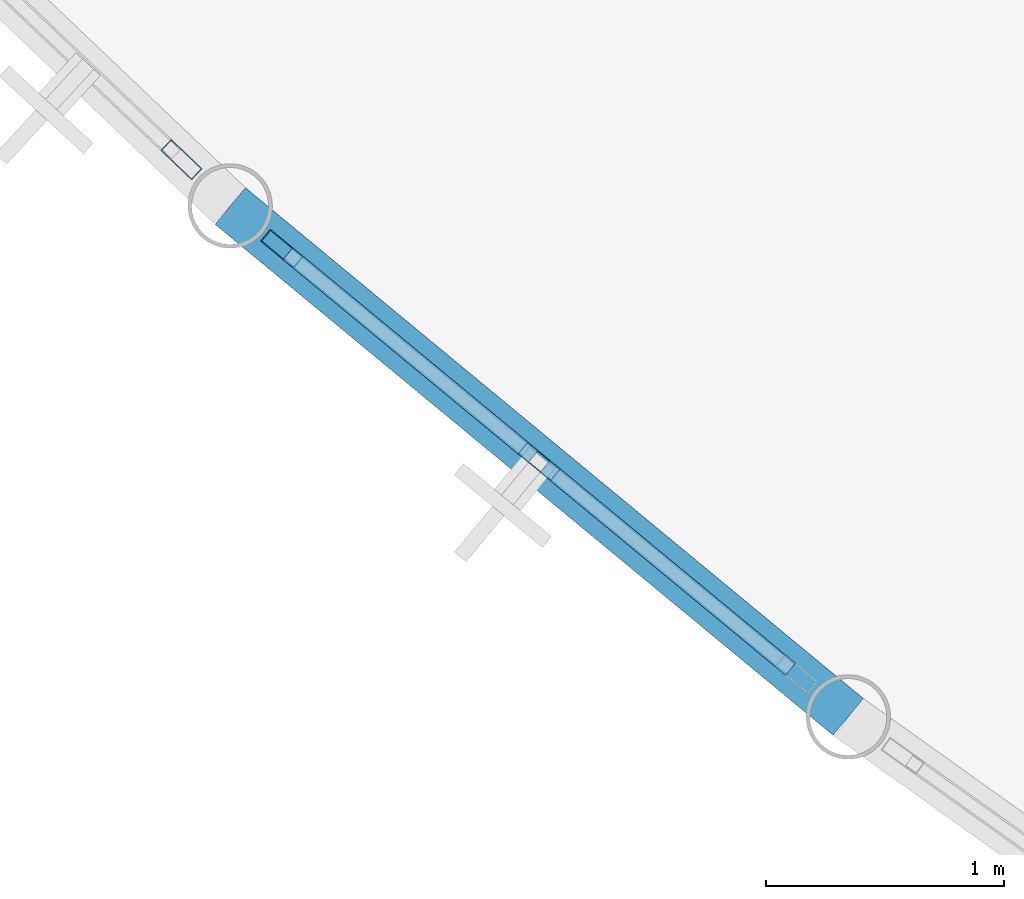
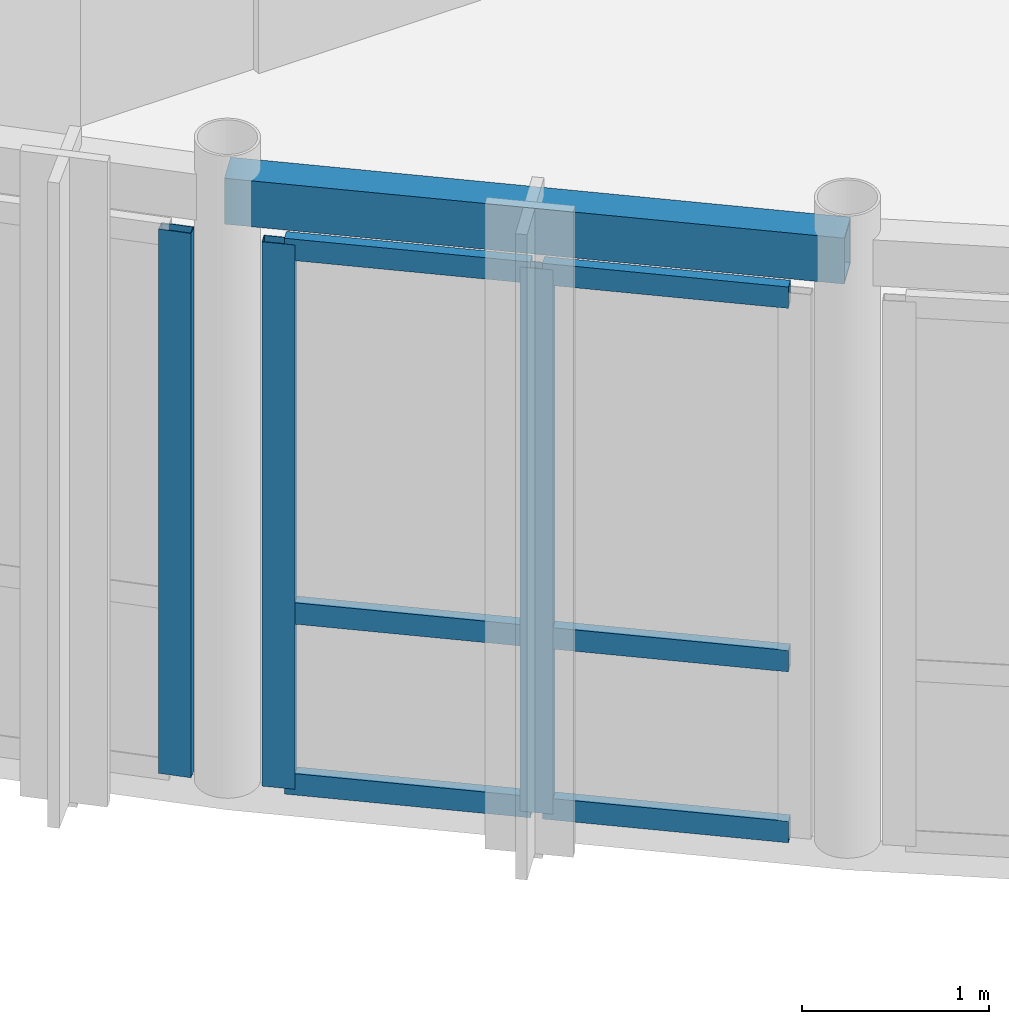
# One storey, part 9 of 32: 9 members, 1 beam, 2 elements without a shape of their own.
"""IFC4 building model written with IfcOpenShell, lengths in metres."""

from ifc_helpers import new_model, si_unit, direction, frame, origin, origin_2d, place, context, subcontext, project, spatial, hollow_rectangle, extrude, material, layer, layer_set, material_profile, profile_set, type_object, element, aggregate, save


model = new_model("IFC4")

# Units and contexts
model_context = context("Model", 3, precision=1e-05, world=origin(), true_north=direction((0.0, 1.0)))
body_context = subcontext(model_context, "Body", "Model", "MODEL_VIEW")
ifc_project = project(units=[si_unit("LENGTHUNIT", "METRE"), si_unit("AREAUNIT", "SQUARE_METRE"), si_unit("VOLUMEUNIT", "CUBIC_METRE"), si_unit("PLANEANGLEUNIT", "RADIAN"), si_unit("MASSUNIT", "GRAM", prefix="KILO")], contexts=[model_context])

# Site, building, storey
site_placement = place(None, origin())
site = spatial("IfcSite", under=ifc_project, at=site_placement, CompositionType="ELEMENT")
building_placement = place(site_placement, origin())
building = spatial("IfcBuilding", under=site, at=building_placement, Name="Selat Folded Stagehouse", CompositionType="ELEMENT")
storey_placement = place(building_placement, frame((0.0, 0.0, 19.199951171875)))
storey = spatial("IfcBuildingStorey", under=building, at=storey_placement, Name="L04", CompositionType="ELEMENT", Elevation=19.199951171875)

# Curtain wall, member
ifc_material_1 = material(Name="Aluminium 6063-T6", Category="aluminium")
ifc_layer = layer(ifc_material_1, 0.18505859375)
ifc_layer_set = layer_set([ifc_layer], Name="Aluminium 6063-T6")
curtain_wall_type = type_object("IfcCurtainWallType", Name="CW-DRM-UPPER", PredefinedType="NOTDEFINED", material=ifc_layer_set)
curtain_wall_1_placement = place(storey_placement, origin())
curtain_wall_1 = element("IfcCurtainWall", 1, at=curtain_wall_1_placement, inside=storey, type_object=curtain_wall_type, Name="L04 curtain wall CW-DRM-L04-13", PredefinedType="NOTDEFINED")
ifc_material_profile_1 = material_profile(ifc_material_1, hollow_rectangle(XDim=0.06494140625, YDim=0.179931640625, WallThickness=0.00390625, at=origin_2d()), Name="ALU 180x65x4.0")
ifc_profile_set_1 = profile_set([ifc_material_profile_1], Name="Aluminium 6063-T6")
member_type_1 = type_object("IfcMemberType", Name="CWM-MUL-180x65", PredefinedType="MULLION", material=ifc_profile_set_1)
member_1_placement = place(storey_placement, frame((15.932373046875, 12.295654296875, 0.0), z_axis=(0.0, 0.0, 1.0), x_axis=(-0.689661264636, -0.724132128869, 0.0)))
member_1 = element("IfcMember", 2, at=member_1_placement, type_object=member_type_1, Name="CW-03 mullion 1", PredefinedType="MULLION", context=body_context, shape_type="SweptSolid", body=[
    extrude(hollow_rectangle(XDim=0.06494140625, YDim=0.179931640625, WallThickness=0.00390625, at=origin_2d()), origin(), (0.0, 0.0, 1.0), 3.56005859375),
])
aggregate(curtain_wall_1, [member_1])

# Curtain wall, members
curtain_wall_2_placement = place(storey_placement, origin())
curtain_wall_2 = element("IfcCurtainWall", 3, at=curtain_wall_2_placement, inside=storey, type_object=curtain_wall_type, Name="L04 curtain wall CW-DRM-L04-14", PredefinedType="NOTDEFINED")
member_2_placement = place(storey_placement, frame((17.435302734375, 11.027587890625, 0.0), z_axis=(0.0, 0.0, 1.0), x_axis=(-0.637141737734, -0.770746654899, 0.0)))
member_2 = element("IfcMember", 4, at=member_2_placement, type_object=member_type_1, Name="CW-03 mullion 2", PredefinedType="MULLION", context=body_context, shape_type="SweptSolid", body=[
    extrude(hollow_rectangle(XDim=0.06494140625, YDim=0.179931640625, WallThickness=0.00390625, at=origin_2d()), origin(), (0.0, 0.0, 1.0), 3.56005859375),
])
member_3_placement = place(storey_placement, frame((16.354736328125, 11.9208984375, 0.0), z_axis=(0.0, 0.0, 1.0), x_axis=(-0.637141737734, -0.770746654899, 0.0)))
member_3 = element("IfcMember", 5, at=member_3_placement, type_object=member_type_1, Name="CW-03 mullion 3", PredefinedType="MULLION", context=body_context, shape_type="SweptSolid", body=[
    extrude(hollow_rectangle(XDim=0.06494140625, YDim=0.179931640625, WallThickness=0.00390625, at=origin_2d()), origin(), (0.0, 0.0, 1.0), 3.56005859375),
])
ifc_material_profile_2 = material_profile(ifc_material_1, hollow_rectangle(XDim=0.06494140625, YDim=0.139892578125, WallThickness=0.00390625, at=origin_2d()), Name="ALU 140x65x4.0")
ifc_profile_set_2 = profile_set([ifc_material_profile_2], Name="Aluminium 6063-T6")
member_type_2 = type_object("IfcMemberType", Name="CWM-TRN-140x65", PredefinedType="USERDEFINED", material=ifc_profile_set_2)
member_4_placement = place(storey_placement, frame((18.49072265625, 10.155029296875, 0.032470703125), z_axis=(-0.770700463685, 0.637197610852, 0.0), x_axis=(-0.637197610852, -0.770700463685, 0.0)))
member_4 = element("IfcMember", 6, at=member_4_placement, type_object=member_type_2, Name="CW-03 transom 1.1", ObjectType="TRANSOM", PredefinedType="USERDEFINED", context=body_context, shape_type="SweptSolid", body=[
    extrude(hollow_rectangle(XDim=0.06494140625, YDim=0.139892578125, WallThickness=0.00390625, at=origin_2d()), origin(), (0.0, 0.0, 1.0), 1.3369140625),
])
member_5_placement = place(storey_placement, frame((18.49072265625, 10.155029296875, 1.150146484375), z_axis=(-0.770700463685, 0.637197610852, 0.0), x_axis=(-0.637197610852, -0.770700463685, 0.0)))
member_5 = element("IfcMember", 7, at=member_5_placement, type_object=member_type_2, Name="CW-03 transom 1.2", ObjectType="TRANSOM", PredefinedType="USERDEFINED", context=body_context, shape_type="SweptSolid", body=[
    extrude(hollow_rectangle(XDim=0.06494140625, YDim=0.139892578125, WallThickness=0.00390625, at=origin_2d()), origin(), (0.0, 0.0, 1.0), 1.3369140625),
])
member_6_placement = place(storey_placement, frame((18.49072265625, 10.155029296875, 3.527587890625), z_axis=(-0.770700463685, 0.637197610852, 0.0), x_axis=(-0.637197610852, -0.770700463685, 0.0)))
member_6 = element("IfcMember", 8, at=member_6_placement, type_object=member_type_2, Name="CW-03 transom 1.3", ObjectType="TRANSOM", PredefinedType="USERDEFINED", context=body_context, shape_type="SweptSolid", body=[
    extrude(hollow_rectangle(XDim=0.06494140625, YDim=0.139892578125, WallThickness=0.00390625, at=origin_2d()), origin(), (0.0, 0.0, 1.0), 1.3369140625),
])
member_7_placement = place(storey_placement, frame((17.41015625, 11.04833984375, 0.032470703125), z_axis=(-0.770700463685, 0.637197610852, 0.0), x_axis=(-0.637197610852, -0.770700463685, 0.0)))
member_7 = element("IfcMember", 9, at=member_7_placement, type_object=member_type_2, Name="CW-03 transom 2.1", ObjectType="TRANSOM", PredefinedType="USERDEFINED", context=body_context, shape_type="SweptSolid", body=[
    extrude(hollow_rectangle(XDim=0.06494140625, YDim=0.139892578125, WallThickness=0.00390625, at=origin_2d()), origin(), (0.0, 0.0, 1.0), 1.3369140625),
])
member_8_placement = place(storey_placement, frame((17.41015625, 11.04833984375, 1.150146484375), z_axis=(-0.770700463685, 0.637197610852, 0.0), x_axis=(-0.637197610852, -0.770700463685, 0.0)))
member_8 = element("IfcMember", 10, at=member_8_placement, type_object=member_type_2, Name="CW-03 transom 2.2", ObjectType="TRANSOM", PredefinedType="USERDEFINED", context=body_context, shape_type="SweptSolid", body=[
    extrude(hollow_rectangle(XDim=0.06494140625, YDim=0.139892578125, WallThickness=0.00390625, at=origin_2d()), origin(), (0.0, 0.0, 1.0), 1.3369140625),
])
member_9_placement = place(storey_placement, frame((17.41015625, 11.04833984375, 3.527587890625), z_axis=(-0.770700463685, 0.637197610852, 0.0), x_axis=(-0.637197610852, -0.770700463685, 0.0)))
member_9 = element("IfcMember", 11, at=member_9_placement, type_object=member_type_2, Name="CW-03 transom 2.3", ObjectType="TRANSOM", PredefinedType="USERDEFINED", context=body_context, shape_type="SweptSolid", body=[
    extrude(hollow_rectangle(XDim=0.06494140625, YDim=0.139892578125, WallThickness=0.00390625, at=origin_2d()), origin(), (0.0, 0.0, 1.0), 1.3369140625),
])
aggregate(curtain_wall_2, [member_2, member_3, member_4, member_5, member_6, member_7, member_8, member_9])

# Beam
ifc_material_2 = material(Name="Steel S355", Category="steel")
ifc_material_profile_3 = material_profile(ifc_material_2, hollow_rectangle(XDim=0.199951171875, YDim=0.300048828125, WallThickness=0.012451171875, at=origin_2d()), Name="RHS 300x200x12.5")
ifc_profile_set_3 = profile_set([ifc_material_profile_3], Name="Steel S355")
beam_type = type_object("IfcBeamType", Name="SPD-RHS-300x200", PredefinedType="SPANDREL", material=ifc_profile_set_3)
beam_placement = place(storey_placement, frame((16.136962890625, 12.100830078125, 3.85009765625), z_axis=(0.770757502018, -0.637128615809, 0.0), x_axis=(0.637128615809, 0.770757502018, 0.0)))
element("IfcBeam", 12, at=beam_placement, inside=storey, type_object=beam_type, Name="L04 curved drum spandrel beam 15", PredefinedType="SPANDREL", context=body_context, shape_type="SweptSolid", body=[
    extrude(hollow_rectangle(XDim=0.199951171875, YDim=0.300048828125, WallThickness=0.012451171875, at=origin_2d()), origin(), (0.0, 0.0, 1.0), 3.368896484375),
])

save(model, "model.ifc")
